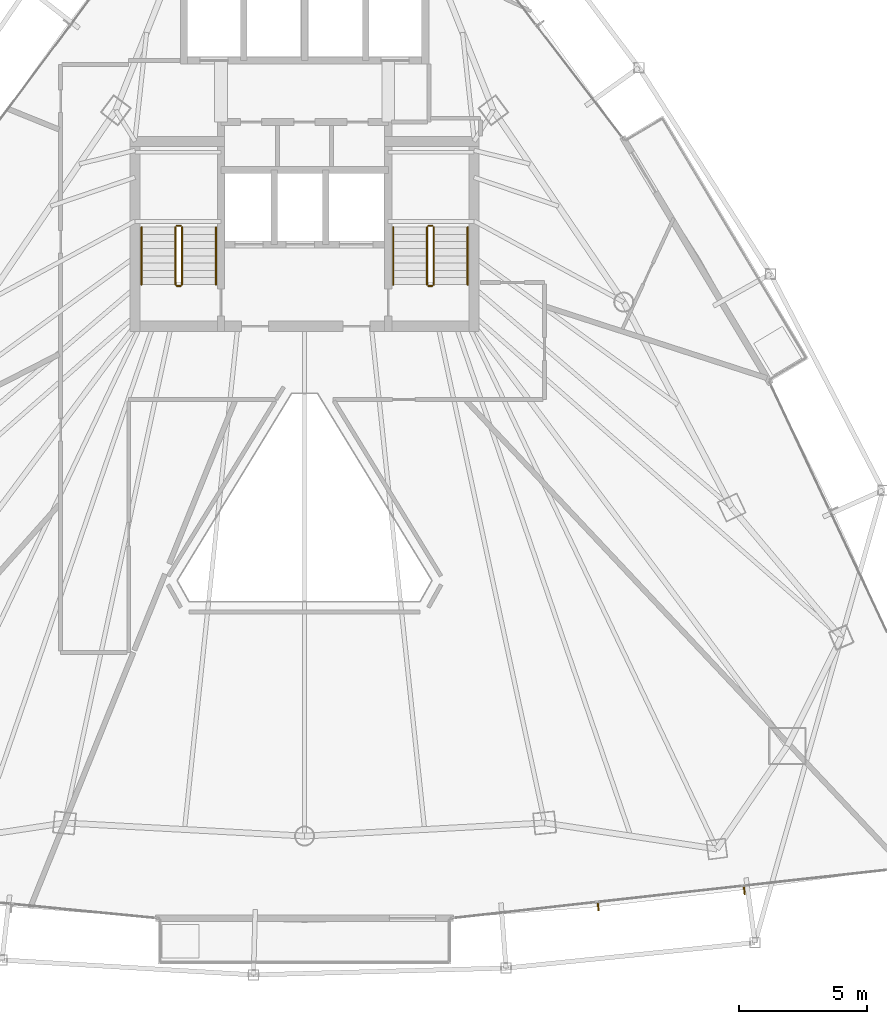
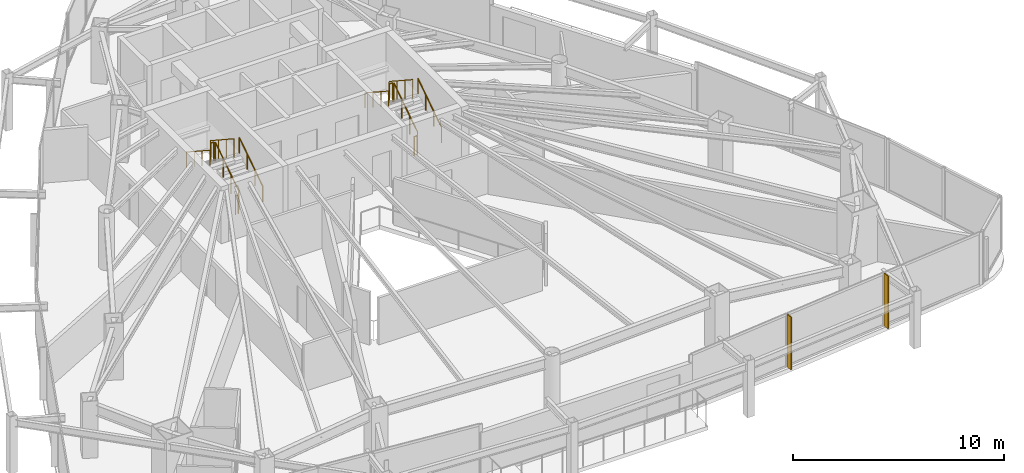
# One storey, part 30 of 31: 12 railings, 2 shading devices.
"""IFC4 building model written with IfcOpenShell, lengths in metres."""

from ifc_helpers import new_model, si_unit, direction, frame, origin, origin_2d, place, context, subcontext, project, spatial, rectangle, circle, extrude, material, layer, layer_set, type_object, element, save


model = new_model("IFC4")

# Units and contexts
model_context = context("Model", 3, precision=1e-05, world=origin(), true_north=direction((0.0, 1.0)))
body_context = subcontext(model_context, "Body", "Model", "MODEL_VIEW")
ifc_project = project(units=[si_unit("LENGTHUNIT", "METRE"), si_unit("AREAUNIT", "SQUARE_METRE"), si_unit("VOLUMEUNIT", "CUBIC_METRE"), si_unit("PLANEANGLEUNIT", "RADIAN"), si_unit("MASSUNIT", "GRAM", prefix="KILO")], contexts=[model_context])

# Site, building, storey
site_placement = place(None, origin())
site = spatial("IfcSite", under=ifc_project, at=site_placement, CompositionType="ELEMENT")
building_placement = place(site_placement, origin())
building = spatial("IfcBuilding", under=site, at=building_placement, Name="Orvanel Arch Residences", CompositionType="ELEMENT")
storey_placement = place(building_placement, frame((0.0, 0.0, 153.949951171875)))
storey = spatial("IfcBuildingStorey", under=building, at=storey_placement, Name="L43", CompositionType="ELEMENT", Elevation=153.949951171875)

# Shading devices
ifc_material_1 = material(Name="Bronze-anodised aluminium AA6063-T6", Category="aluminium")
ifc_layer = layer(ifc_material_1, 0.054931640625)
ifc_layer_set = layer_set([ifc_layer], Name="Bronze-anodised aluminium AA6063-T6")
shading_device_type = type_object("IfcShadingDeviceType", Name="FIN-BRZ-320", PredefinedType="USERDEFINED", material=ifc_layer_set)
for number, where, z_axis, x_axis, name in (
    (1, (44.43603515625, 4.089111328125, 0.0), (0.0, 0.0, 1.0), (0.109734311091, -0.993960955455, 0.0), "L43 Anodised Bronze Mullion FIN 01"),
    (2, (50.126953125, 4.720947265625, 0.0), (0.0, 0.0, 1.0), (0.109734311091, -0.993960955455, 0.0), "L43 Anodised Bronze Mullion FIN 02"),
):
    element("IfcShadingDevice", number, at=place(storey_placement, frame(where, z_axis=z_axis, x_axis=x_axis)), inside=storey, type_object=shading_device_type, Name=name, ObjectType="FIN", PredefinedType="USERDEFINED", context=body_context, shape_type="SweptSolid", body=[
        extrude(rectangle(XDim=0.320068359375, YDim=0.054931640625, at=origin_2d()), origin(), (0.0, 0.0, 1.0), 3.06005859375),
    ])

# Railings
ifc_material_2 = material(Name="Structural steel AS/NZS 1163 C350L0 (Grade 350)", Category="steel")
railing_type_1 = type_object("IfcRailingType", Name="RL-STAIR-GUARD", PredefinedType="GUARDRAIL", material=ifc_material_2)
railing_1_placement = place(storey_placement, frame((28.22998046875, 28.320068359375, 0.183349609375)))
element("IfcRailing", 3, at=railing_1_placement, inside=storey, type_object=railing_type_1, Name="L43 ST-1 stair guard 1", PredefinedType="GUARDRAIL", context=body_context, shape_type="SweptSolid", body=[
    extrude(circle(Radius=0.02392578125, at=origin_2d()), frame((0.0, 0.001220703125, 1.076904296875), z_axis=(0.0, 0.836595146698, 0.547821650285), x_axis=(-1.0, 0.0, 0.0)), (0.0, 0.0, 1.0), 2.674560546875),
    extrude(circle(Radius=0.02099609375, at=origin_2d()), origin(), (0.0, 0.0, 1.0), 1.050048828125),
    extrude(circle(Radius=0.02099609375, at=origin_2d()), frame((0.0, 0.74658203125, 0.489013671875)), (0.0, 0.0, 1.0), 1.050048828125),
    extrude(circle(Radius=0.02099609375, at=origin_2d()), frame((0.0, 1.493408203125, 0.977783203125)), (0.0, 0.0, 1.0), 1.050048828125),
    extrude(circle(Radius=0.02099609375, at=origin_2d()), frame((0.0, 2.239990234375, 1.466796875)), (0.0, 0.0, 1.0), 1.050048828125),
])
railing_2_placement = place(storey_placement, frame((28.179931640625, 30.610107421875, 1.650146484375)))
element("IfcRailing", 4, at=railing_2_placement, inside=storey, type_object=railing_type_1, Name="L43 ST-1 stair guard 2", PredefinedType="GUARDRAIL", context=body_context, shape_type="SweptSolid", body=[
    extrude(circle(Radius=0.02392578125, at=origin_2d()), frame((-0.00146484375, 0.0, 1.076171875), z_axis=(-1.0, 0.0, 0.0), x_axis=(0.0, -1.0, 0.0)), (0.0, 0.0, 1.0), 0.156982421875),
    extrude(circle(Radius=0.02099609375, at=origin_2d()), origin(), (0.0, 0.0, 1.0), 1.050048828125),
    extrude(circle(Radius=0.02099609375, at=origin_2d()), frame((-0.159912109375, 0.0, 0.0)), (0.0, 0.0, 1.0), 1.050048828125),
])
railing_3_placement = place(storey_placement, frame((27.969970703125, 30.56005859375, 1.83349609375)))
element("IfcRailing", 5, at=railing_3_placement, inside=storey, type_object=railing_type_1, Name="L43 ST-1 stair guard 3", PredefinedType="GUARDRAIL", context=body_context, shape_type="SweptSolid", body=[
    extrude(circle(Radius=0.02392578125, at=origin_2d()), frame((0.0, -0.001220703125, 1.076904296875), z_axis=(0.0, -0.836636935527, 0.547757827979), x_axis=(1.0, 0.0, 0.0)), (0.0, 0.0, 1.0), 2.67431640625),
    extrude(circle(Radius=0.02099609375, at=origin_2d()), origin(), (0.0, 0.0, 1.0), 1.050048828125),
    extrude(circle(Radius=0.02099609375, at=origin_2d()), frame((0.0, -0.74658203125, 0.48876953125)), (0.0, 0.0, 1.0), 1.050048828125),
    extrude(circle(Radius=0.02099609375, at=origin_2d()), frame((0.0, -1.493408203125, 0.977783203125)), (0.0, 0.0, 1.0), 1.050048828125),
    extrude(circle(Radius=0.02099609375, at=origin_2d()), frame((0.0, -2.239990234375, 1.466552734375)), (0.0, 0.0, 1.0), 1.050048828125),
])
railing_4_placement = place(storey_placement, frame((28.179931640625, 28.27001953125, 0.0)))
element("IfcRailing", 6, at=railing_4_placement, inside=storey, type_object=railing_type_1, Name="L43 ST-1 stair guard 4", PredefinedType="GUARDRAIL", context=body_context, shape_type="SweptSolid", body=[
    extrude(circle(Radius=0.02392578125, at=origin_2d()), frame((-0.00146484375, 0.0, 1.076171875), z_axis=(-1.0, 0.0, 0.0), x_axis=(0.0, -1.0, 0.0)), (0.0, 0.0, 1.0), 0.156982421875),
    extrude(circle(Radius=0.02099609375, at=origin_2d()), origin(), (0.0, 0.0, 1.0), 1.050048828125),
    extrude(circle(Radius=0.02099609375, at=origin_2d()), frame((-0.159912109375, 0.0, 0.0)), (0.0, 0.0, 1.0), 1.050048828125),
])
railing_5_placement = place(storey_placement, frame((38.030029296875, 28.320068359375, 0.183349609375)))
element("IfcRailing", 7, at=railing_5_placement, inside=storey, type_object=railing_type_1, Name="L43 ST-2 stair guard 1", PredefinedType="GUARDRAIL", context=body_context, shape_type="SweptSolid", body=[
    extrude(circle(Radius=0.02392578125, at=origin_2d()), frame((0.0, 0.001220703125, 1.076904296875), z_axis=(0.0, 0.836595146698, 0.547821650285), x_axis=(-1.0, 0.0, 0.0)), (0.0, 0.0, 1.0), 2.674560546875),
    extrude(circle(Radius=0.02099609375, at=origin_2d()), origin(), (0.0, 0.0, 1.0), 1.050048828125),
    extrude(circle(Radius=0.02099609375, at=origin_2d()), frame((0.0, 0.74658203125, 0.489013671875)), (0.0, 0.0, 1.0), 1.050048828125),
    extrude(circle(Radius=0.02099609375, at=origin_2d()), frame((0.0, 1.493408203125, 0.977783203125)), (0.0, 0.0, 1.0), 1.050048828125),
    extrude(circle(Radius=0.02099609375, at=origin_2d()), frame((0.0, 2.239990234375, 1.466796875)), (0.0, 0.0, 1.0), 1.050048828125),
])
railing_6_placement = place(storey_placement, frame((37.97998046875, 30.610107421875, 1.650146484375)))
element("IfcRailing", 8, at=railing_6_placement, inside=storey, type_object=railing_type_1, Name="L43 ST-2 stair guard 2", PredefinedType="GUARDRAIL", context=body_context, shape_type="SweptSolid", body=[
    extrude(circle(Radius=0.02392578125, at=origin_2d()), frame((-0.00146484375, 0.0, 1.076171875), z_axis=(-1.0, 0.0, 0.0), x_axis=(0.0, -1.0, 0.0)), (0.0, 0.0, 1.0), 0.156982421875),
    extrude(circle(Radius=0.02099609375, at=origin_2d()), origin(), (0.0, 0.0, 1.0), 1.050048828125),
    extrude(circle(Radius=0.02099609375, at=origin_2d()), frame((-0.159912109375, 0.0, 0.0)), (0.0, 0.0, 1.0), 1.050048828125),
])
railing_7_placement = place(storey_placement, frame((37.77001953125, 30.56005859375, 1.83349609375)))
element("IfcRailing", 9, at=railing_7_placement, inside=storey, type_object=railing_type_1, Name="L43 ST-2 stair guard 3", PredefinedType="GUARDRAIL", context=body_context, shape_type="SweptSolid", body=[
    extrude(circle(Radius=0.02392578125, at=origin_2d()), frame((0.0, -0.001220703125, 1.076904296875), z_axis=(0.0, -0.836636935527, 0.547757827979), x_axis=(1.0, 0.0, 0.0)), (0.0, 0.0, 1.0), 2.67431640625),
    extrude(circle(Radius=0.02099609375, at=origin_2d()), origin(), (0.0, 0.0, 1.0), 1.050048828125),
    extrude(circle(Radius=0.02099609375, at=origin_2d()), frame((0.0, -0.74658203125, 0.48876953125)), (0.0, 0.0, 1.0), 1.050048828125),
    extrude(circle(Radius=0.02099609375, at=origin_2d()), frame((0.0, -1.493408203125, 0.977783203125)), (0.0, 0.0, 1.0), 1.050048828125),
    extrude(circle(Radius=0.02099609375, at=origin_2d()), frame((0.0, -2.239990234375, 1.466552734375)), (0.0, 0.0, 1.0), 1.050048828125),
])
railing_8_placement = place(storey_placement, frame((37.97998046875, 28.27001953125, 0.0)))
element("IfcRailing", 10, at=railing_8_placement, inside=storey, type_object=railing_type_1, Name="L43 ST-2 stair guard 4", PredefinedType="GUARDRAIL", context=body_context, shape_type="SweptSolid", body=[
    extrude(circle(Radius=0.02392578125, at=origin_2d()), frame((-0.00146484375, 0.0, 1.076171875), z_axis=(-1.0, 0.0, 0.0), x_axis=(0.0, -1.0, 0.0)), (0.0, 0.0, 1.0), 0.156982421875),
    extrude(circle(Radius=0.02099609375, at=origin_2d()), origin(), (0.0, 0.0, 1.0), 1.050048828125),
    extrude(circle(Radius=0.02099609375, at=origin_2d()), frame((-0.159912109375, 0.0, 0.0)), (0.0, 0.0, 1.0), 1.050048828125),
])
railing_type_2 = type_object("IfcRailingType", Name="RL-STAIR-HAND", PredefinedType="HANDRAIL", material=ifc_material_2)
railing_9_placement = place(storey_placement, frame((29.550048828125, 28.320068359375, 0.183349609375)))
element("IfcRailing", 11, at=railing_9_placement, inside=storey, type_object=railing_type_2, Name="L43 ST-1 stair handrail 1", PredefinedType="HANDRAIL", context=body_context, shape_type="SweptSolid", body=[
    extrude(circle(Radius=0.02392578125, at=origin_2d()), frame((0.0, 0.001220703125, 0.876708984375), z_axis=(0.0, 0.836595146698, 0.547821650285), x_axis=(-1.0, 0.0, 0.0)), (0.0, 0.0, 1.0), 2.674560546875),
    extrude(circle(Radius=0.02099609375, at=origin_2d()), origin(), (0.0, 0.0, 1.0), 0.849853515625),
    extrude(circle(Radius=0.02099609375, at=origin_2d()), frame((0.0, 0.74658203125, 0.489013671875)), (0.0, 0.0, 1.0), 0.849853515625),
    extrude(circle(Radius=0.02099609375, at=origin_2d()), frame((0.0, 1.493408203125, 0.977783203125)), (0.0, 0.0, 1.0), 0.849853515625),
    extrude(circle(Radius=0.02099609375, at=origin_2d()), frame((0.0, 2.239990234375, 1.466796875)), (0.0, 0.0, 1.0), 0.849853515625),
])
railing_10_placement = place(storey_placement, frame((26.64990234375, 30.56005859375, 1.83349609375)))
element("IfcRailing", 12, at=railing_10_placement, inside=storey, type_object=railing_type_2, Name="L43 ST-1 stair handrail 2", PredefinedType="HANDRAIL", context=body_context, shape_type="SweptSolid", body=[
    extrude(circle(Radius=0.02392578125, at=origin_2d()), frame((0.0, -0.001220703125, 0.876708984375), z_axis=(0.0, -0.836636935527, 0.547757827979), x_axis=(1.0, 0.0, 0.0)), (0.0, 0.0, 1.0), 2.67431640625),
    extrude(circle(Radius=0.02099609375, at=origin_2d()), origin(), (0.0, 0.0, 1.0), 0.849853515625),
    extrude(circle(Radius=0.02099609375, at=origin_2d()), frame((0.0, -0.74658203125, 0.48876953125)), (0.0, 0.0, 1.0), 0.849853515625),
    extrude(circle(Radius=0.02099609375, at=origin_2d()), frame((0.0, -1.493408203125, 0.977783203125)), (0.0, 0.0, 1.0), 0.849853515625),
    extrude(circle(Radius=0.02099609375, at=origin_2d()), frame((0.0, -2.239990234375, 1.466552734375)), (0.0, 0.0, 1.0), 0.849853515625),
])
railing_11_placement = place(storey_placement, frame((39.35009765625, 28.320068359375, 0.183349609375)))
element("IfcRailing", 13, at=railing_11_placement, inside=storey, type_object=railing_type_2, Name="L43 ST-2 stair handrail 1", PredefinedType="HANDRAIL", context=body_context, shape_type="SweptSolid", body=[
    extrude(circle(Radius=0.02392578125, at=origin_2d()), frame((0.0, 0.001220703125, 0.876708984375), z_axis=(0.0, 0.836595146698, 0.547821650285), x_axis=(-1.0, 0.0, 0.0)), (0.0, 0.0, 1.0), 2.674560546875),
    extrude(circle(Radius=0.02099609375, at=origin_2d()), origin(), (0.0, 0.0, 1.0), 0.849853515625),
    extrude(circle(Radius=0.02099609375, at=origin_2d()), frame((0.0, 0.74658203125, 0.489013671875)), (0.0, 0.0, 1.0), 0.849853515625),
    extrude(circle(Radius=0.02099609375, at=origin_2d()), frame((0.0, 1.493408203125, 0.977783203125)), (0.0, 0.0, 1.0), 0.849853515625),
    extrude(circle(Radius=0.02099609375, at=origin_2d()), frame((0.0, 2.239990234375, 1.466796875)), (0.0, 0.0, 1.0), 0.849853515625),
])
railing_12_placement = place(storey_placement, frame((36.449951171875, 30.56005859375, 1.83349609375)))
element("IfcRailing", 14, at=railing_12_placement, inside=storey, type_object=railing_type_2, Name="L43 ST-2 stair handrail 2", PredefinedType="HANDRAIL", context=body_context, shape_type="SweptSolid", body=[
    extrude(circle(Radius=0.02392578125, at=origin_2d()), frame((0.0, -0.001220703125, 0.876708984375), z_axis=(0.0, -0.836636935527, 0.547757827979), x_axis=(1.0, 0.0, 0.0)), (0.0, 0.0, 1.0), 2.67431640625),
    extrude(circle(Radius=0.02099609375, at=origin_2d()), origin(), (0.0, 0.0, 1.0), 0.849853515625),
    extrude(circle(Radius=0.02099609375, at=origin_2d()), frame((0.0, -0.74658203125, 0.48876953125)), (0.0, 0.0, 1.0), 0.849853515625),
    extrude(circle(Radius=0.02099609375, at=origin_2d()), frame((0.0, -1.493408203125, 0.977783203125)), (0.0, 0.0, 1.0), 0.849853515625),
    extrude(circle(Radius=0.02099609375, at=origin_2d()), frame((0.0, -2.239990234375, 1.466552734375)), (0.0, 0.0, 1.0), 0.849853515625),
])

save(model, "model.ifc")
